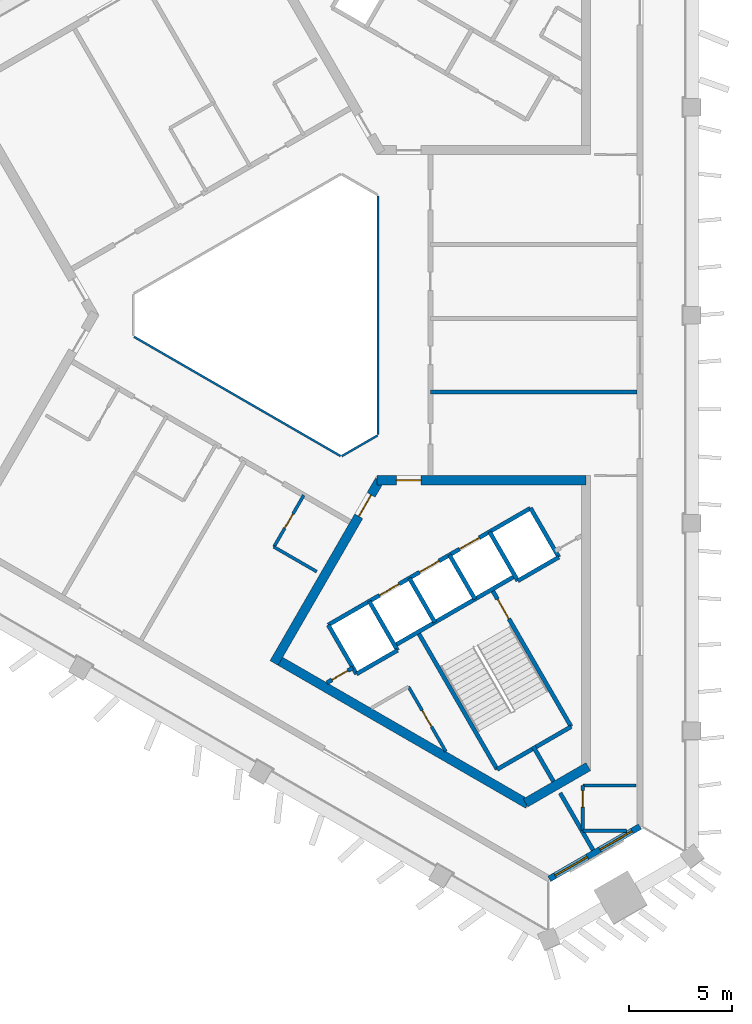
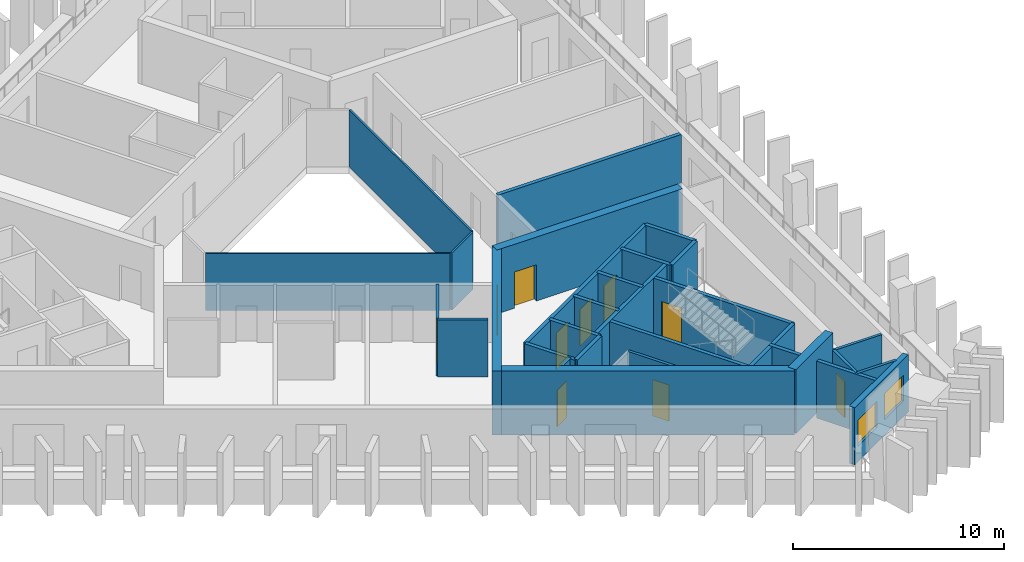
# One storey, part 3 of 9: 31 walls, 10 doors, 2 windows, 12 openings.
"""IFC4 building model written with IfcOpenShell, lengths in metres."""

from ifc_helpers import new_model, si_unit, direction, frame, frame_2d, origin, place, context, subcontext, project, spatial, rectangle, extrude, material, layer, layer_set, type_object, element, fill, save


model = new_model("IFC4")

# Units and contexts
model_context = context("Model", 3, precision=1e-05, world=origin(), true_north=direction((0.0, 1.0)))
body_context = subcontext(model_context, "Body", "Model", "MODEL_VIEW")
ifc_project = project(units=[si_unit("LENGTHUNIT", "METRE"), si_unit("AREAUNIT", "SQUARE_METRE"), si_unit("VOLUMEUNIT", "CUBIC_METRE"), si_unit("PLANEANGLEUNIT", "RADIAN"), si_unit("MASSUNIT", "GRAM", prefix="KILO")], contexts=[model_context])

# Site, building, storey
site_placement = place(None, origin())
site = spatial("IfcSite", under=ifc_project, at=site_placement, CompositionType="ELEMENT")
building_placement = place(site_placement, origin())
building = spatial("IfcBuilding", under=site, at=building_placement, Name="Jabali Bay Hotel Tower and Convention Centre", CompositionType="ELEMENT")
storey_placement = place(building_placement, frame((0.0, 0.0, 239.10009765625)))
storey = spatial("IfcBuildingStorey", under=building, at=storey_placement, Name="L59", CompositionType="ELEMENT", Elevation=239.10009765625)

# Walls
ifc_material_1 = material(Name="Fire-resistant glazing", Category="glass")
ifc_layer_1 = layer(ifc_material_1, 0.10009765625)
ifc_layer_set_1 = layer_set([ifc_layer_1], Name="Fire-resistant glazing")
wall_type_1 = type_object("IfcWallType", Name="Atrium glazed screen 100", PredefinedType="PARTITIONING", material=ifc_layer_set_1)
for number, where, z_axis, x_axis, name in (
    (1, (79.56005859375, 74.205810546875, 0.0), (0.0, 0.0, 1.0), (0.0, 1.0, 0.0), "Atrium screen 1 L59"),
    (2, (67.7021484375, 78.947998046875, 0.0), (0.0, 0.0, 1.0), (0.866026658274, -0.499997827154, 0.0), "Atrium screen 5 L59"),
):
    element("IfcWall", number, at=place(storey_placement, frame(where, z_axis=z_axis, x_axis=x_axis)), inside=storey, type_object=wall_type_1, Name=name, PredefinedType="PARTITIONING", context=body_context, shape_type="SweptSolid", body=[
        extrude(rectangle(XDim=11.58837890625, YDim=0.10009765625, at=frame_2d((5.794189453125, 0.0))), origin(), (0.0, 0.0, 1.0), 3.2998046875),
    ])
wall_1_placement = place(storey_placement, frame((77.7978515625, 73.15380859375, 0.0), z_axis=(0.0, 0.0, 1.0), x_axis=(0.866041268327, 0.499972520799, 0.0)))
element("IfcWall", 3, at=wall_1_placement, inside=storey, type_object=wall_type_1, Name="Atrium screen 6 L59", PredefinedType="PARTITIONING", context=body_context, shape_type="SweptSolid", body=[
    extrude(rectangle(XDim=2.0, YDim=0.10009765625, at=frame_2d((1.0, 0.0))), origin(), (0.0, 0.0, 1.0), 3.2998046875),
])
ifc_material_2 = material(Name="Concrete C40", Category="concrete")
ifc_layer_2 = layer(ifc_material_2, 0.199951171875)
ifc_layer_set_2 = layer_set([ifc_layer_2], Name="Concrete C40")
wall_type_2 = type_object("IfcWallType", Name="Core partition wall 200", PredefinedType="PARTITIONING", material=ifc_layer_set_2)
wall_2_placement = place(storey_placement, frame((87.090087890625, 59.0595703125, 0.0), z_axis=(0.0, 0.0, 1.0), x_axis=(0.500011643316, -0.866018681408, 0.0)))
element("IfcWall", 4, at=wall_2_placement, inside=storey, type_object=wall_type_2, Name="Core wall 2.5 L59", PredefinedType="PARTITIONING", context=body_context, shape_type="SweptSolid", body=[
    extrude(rectangle(XDim=1.97314453125, YDim=0.199951171875, at=frame_2d((0.986572265625, 0.0))), origin(), (0.0, 0.0, 1.0), 3.2998046875),
])

# Wall, opening, door
wall_3_placement = place(storey_placement, frame((77.070068359375, 62.142578125, 0.0), z_axis=(0.0, 0.0, 1.0), x_axis=(0.866013036001, 0.500021421018, 0.0)))
wall_3 = element("IfcWall", 5, at=wall_3_placement, inside=storey, type_object=wall_type_2, Name="Core wall 2.11 L59", PredefinedType="PARTITIONING", context=body_context, shape_type="SweptSolid", body=[
    extrude(rectangle(XDim=1.4609375, YDim=0.199951171875, at=frame_2d((0.73046875, 0.0))), origin(), (0.0, 0.0, 1.0), 3.2998046875),
])
opening_1_placement = place(wall_3_placement, frame((0.280517578125, 0.0, 0.0)))
opening_1 = element("IfcOpeningElement", 6, at=opening_1_placement, cuts=wall_3, Name="Opening D1302", PredefinedType="OPENING", context=body_context, shape_type="SweptSolid", body=[
    extrude(rectangle(XDim=0.89990234375, YDim=2.10009765625, at=frame_2d((0.449951171875, 1.050048828125))), frame((0.0, 0.1103515625, 0.0), z_axis=(0.0, -1.0, 0.0), x_axis=(1.0, 0.0, 0.0)), (0.0, 0.0, 1.0), 0.220947265625),
])
ifc_material_3 = material(Name="Fire-rated steel door", Category="steel")
door_type_1 = type_object("IfcDoorType", Name="Vestibule fire door 900 x 2100", OperationType="NOTDEFINED", PredefinedType="NOTDEFINED", material=ifc_material_3)
door_1_placement = place(opening_1_placement, origin())
door_1 = element("IfcDoor", 7, at=door_1_placement, inside=storey, type_object=door_type_1, Name="Vestibule fire door D1302", OperationType="SINGLE_SWING_LEFT", OverallHeight=2.10009765625, OverallWidth=0.89990234375, PredefinedType="NOTDEFINED", context=body_context, shape_type="SweptSolid", body=[
    extrude(rectangle(XDim=0.89990234375, YDim=2.10009765625, at=frame_2d((0.449951171875, 1.050048828125))), frame((0.0, 0.02490234375, 0.0), z_axis=(0.0, -1.0, 0.0), x_axis=(1.0, 0.0, 0.0)), (0.0, 0.0, 1.0), 0.050048828125),
])
fill(opening_1, door_1)

ifc_material_4 = material(Name="Fire-rated board partition")
ifc_layer_3 = layer(ifc_material_4, 0.14990234375)
ifc_layer_set_3 = layer_set([ifc_layer_3], Name="Fire-rated board partition")
wall_type_3 = type_object("IfcWallType", Name="Core room partition 150", PredefinedType="PARTITIONING", material=ifc_layer_set_3)
wall_4_placement = place(storey_placement, frame((81.0341796875, 61.94873046875, 0.0), z_axis=(0.0, 0.0, 1.0), x_axis=(0.499945732631, -0.866056732798, 0.0)))
wall_4 = element("IfcWall", 8, at=wall_4_placement, inside=storey, type_object=wall_type_3, Name="Core wall 2.1 L59", PredefinedType="PARTITIONING", context=body_context, shape_type="SweptSolid", body=[
    extrude(rectangle(XDim=3.62841796875, YDim=0.14990234375, at=frame_2d((1.814208984375, 0.0))), origin(), (0.0, 0.0, 1.0), 3.2998046875),
])
opening_2_placement = place(wall_4_placement, frame((1.336669921875, 0.0, 0.0)))
opening_2 = element("IfcOpeningElement", 9, at=opening_2_placement, cuts=wall_4, Name="Opening D1304", PredefinedType="OPENING", context=body_context, shape_type="SweptSolid", body=[
    extrude(rectangle(XDim=0.89990234375, YDim=2.10009765625, at=frame_2d((0.449951171875, 1.050048828125))), frame((0.0, 0.08544921875, 0.0), z_axis=(0.0, -1.0, 0.0), x_axis=(1.0, 0.0, 0.0)), (0.0, 0.0, 1.0), 0.1708984375),
])
door_type_2 = type_object("IfcDoorType", Name="Core room door 900 x 2100", OperationType="NOTDEFINED", PredefinedType="NOTDEFINED", material=ifc_material_3)
door_2_placement = place(opening_2_placement, origin())
door_2 = element("IfcDoor", 10, at=door_2_placement, inside=storey, type_object=door_type_2, Name="Core room door D1304", OperationType="SINGLE_SWING_LEFT", OverallHeight=2.10009765625, OverallWidth=0.89990234375, PredefinedType="NOTDEFINED", context=body_context, shape_type="SweptSolid", body=[
    extrude(rectangle(XDim=0.89990234375, YDim=2.10009765625, at=frame_2d((0.449951171875, 1.050048828125))), frame((0.0, 0.02490234375, 0.0), z_axis=(0.0, -1.0, 0.0), x_axis=(1.0, 0.0, 0.0)), (0.0, 0.0, 1.0), 0.050048828125),
])
fill(opening_2, door_2)

# Walls
ifc_layer_4 = layer(ifc_material_2, 0.199951171875)
ifc_layer_set_4 = layer_set([ifc_layer_4], Name="Concrete C40")
wall_type_4 = type_object("IfcWallType", Name="Core stair wall 200", PredefinedType="SOLIDWALL", material=ifc_layer_set_4)
for number, where, z_axis, x_axis, name in (
    (11, (77.13525390625, 64.95166015625, 0.0), (0.0, 0.0, 1.0), (0.499996545922, -0.866027397988, 0.0), "Core wall 2.0 L59"),
    (12, (79.127197265625, 66.1015625, 0.0), (0.0, 0.0, 1.0), (0.499996545922, -0.866027397988, 0.0), "Core wall 2.2 L59"),
):
    element("IfcWall", number, at=place(storey_placement, frame(where, z_axis=z_axis, x_axis=x_axis)), inside=storey, type_object=wall_type_4, Name=name, PredefinedType="SOLIDWALL", context=body_context, shape_type="SweptSolid", body=[
        extrude(rectangle(XDim=2.75, YDim=0.199951171875, at=frame_2d((1.375, 0.0))), origin(), (0.0, 0.0, 1.0), 3.2998046875),
    ])
wall_5_placement = place(storey_placement, frame((81.492919921875, 64.603759765625, 0.0), z_axis=(0.0, 0.0, 1.0), x_axis=(0.500006057782, -0.866021906294, 0.0)))
element("IfcWall", 13, at=wall_5_placement, inside=storey, type_object=wall_type_4, Name="Core wall 2.3 L59", PredefinedType="SOLIDWALL", context=body_context, shape_type="SweptSolid", body=[
    extrude(rectangle(XDim=7.7001953125, YDim=0.199951171875, at=frame_2d((3.85009765625, 0.0))), origin(), (0.0, 0.0, 1.0), 3.2998046875),
])
for number, where, z_axis, x_axis, name in (
    (14, (81.07568359375, 67.2265625, 0.0), (0.0, 0.0, 1.0), (0.50000366821, -0.866023285932, 0.0), "Core wall 2.4 L59"),
    (15, (83.024169921875, 68.3515625, 0.0), (0.0, 0.0, 1.0), (0.50000366821, -0.866023285932, 0.0), "Core wall 2.6 L59"),
):
    element("IfcWall", number, at=place(storey_placement, frame(where, z_axis=z_axis, x_axis=x_axis)), inside=storey, type_object=wall_type_4, Name=name, PredefinedType="SOLIDWALL", context=body_context, shape_type="SweptSolid", body=[
        extrude(rectangle(XDim=2.47998046875, YDim=0.199951171875, at=frame_2d((1.239990234375, 0.0))), origin(), (0.0, 0.0, 1.0), 3.2998046875),
    ])

# Wall, opening, door
wall_6_placement = place(storey_placement, frame((85.0869140625, 66.6787109375, 0.0), z_axis=(0.0, 0.0, 1.0), x_axis=(0.500019787375, -0.866013979237, 0.0)))
wall_6 = element("IfcWall", 16, at=wall_6_placement, inside=storey, type_object=wall_type_4, Name="Core wall 2.7 L59", PredefinedType="SOLIDWALL", context=body_context, shape_type="SweptSolid", body=[
    extrude(rectangle(XDim=7.699951171875, YDim=0.199951171875, at=frame_2d((3.85009765625, 0.0))), origin(), (0.0, 0.0, 1.0), 3.2998046875),
])
opening_3_placement = place(wall_6_placement, frame((0.550048828125, 0.0, 0.0)))
opening_3 = element("IfcOpeningElement", 17, at=opening_3_placement, cuts=wall_6, Name="Opening D1303", PredefinedType="OPENING", context=body_context, shape_type="SweptSolid", body=[
    extrude(rectangle(XDim=1.10009765625, YDim=2.10009765625, at=frame_2d((0.550048828125, 1.050048828125))), frame((0.0, 0.1103515625, 0.0), z_axis=(0.0, -1.0, 0.0), x_axis=(1.0, 0.0, 0.0)), (0.0, 0.0, 1.0), 0.220947265625),
])
door_type_3 = type_object("IfcDoorType", Name="Stair fire door 1100 x 2100", OperationType="NOTDEFINED", PredefinedType="NOTDEFINED", material=ifc_material_3)
door_3_placement = place(opening_3_placement, origin())
door_3 = element("IfcDoor", 18, at=door_3_placement, inside=storey, type_object=door_type_3, Name="Stair fire door D1303", OperationType="SINGLE_SWING_RIGHT", OverallHeight=2.10009765625, OverallWidth=1.10009765625, PredefinedType="NOTDEFINED", context=body_context, shape_type="SweptSolid", body=[
    extrude(rectangle(XDim=1.10009765625, YDim=2.10009765625, at=frame_2d((0.550048828125, 1.050048828125))), frame((0.0, 0.02490234375, 0.0), z_axis=(0.0, -1.0, 0.0), x_axis=(1.0, 0.0, 0.0)), (0.0, 0.0, 1.0), 0.050048828125),
])
fill(opening_3, door_3)

# Walls
for number, where, z_axis, x_axis, name in (
    (19, (84.972900390625, 69.4765625, 0.0), (0.0, 0.0, 1.0), (0.499996545922, -0.866027397988, 0.0), "Core wall 2.8 L59"),
    (20, (86.964599609375, 70.62646484375, 0.0), (0.0, 0.0, 1.0), (0.499996545922, -0.866027397988, 0.0), "Core wall 2.9 L59"),
):
    element("IfcWall", number, at=place(storey_placement, frame(where, z_axis=z_axis, x_axis=x_axis)), inside=storey, type_object=wall_type_4, Name=name, PredefinedType="SOLIDWALL", context=body_context, shape_type="SweptSolid", body=[
        extrude(rectangle(XDim=2.75, YDim=0.199951171875, at=frame_2d((1.375, 0.0))), origin(), (0.0, 0.0, 1.0), 3.2998046875),
    ])

# Wall, openings, doors
wall_7_placement = place(storey_placement, frame((77.13525390625, 64.95166015625, 0.0), z_axis=(0.0, 0.0, 1.0), x_axis=(0.866031916153, 0.499988720078, 0.0)))
wall_7 = element("IfcWall", 21, at=wall_7_placement, inside=storey, type_object=wall_type_4, Name="Core wall 2.10 L59", PredefinedType="SOLIDWALL", context=body_context, shape_type="SweptSolid", body=[
    extrude(rectangle(XDim=11.349853515625, YDim=0.199951171875, at=frame_2d((5.6748046875, 0.0))), origin(), (0.0, 0.0, 1.0), 3.2998046875),
])
opening_4_placement = place(wall_7_placement, frame((2.875, 0.0, 0.0)))
opening_4 = element("IfcOpeningElement", 22, at=opening_4_placement, cuts=wall_7, Name="Opening LD12-L59", PredefinedType="OPENING", context=body_context, shape_type="SweptSolid", body=[
    extrude(rectangle(XDim=1.10009765625, YDim=2.10009765625, at=frame_2d((0.550048828125, 1.050048828125))), frame((0.0, 0.1103515625, 0.0), z_axis=(0.0, -1.0, 0.0), x_axis=(1.0, 0.0, 0.0)), (0.0, 0.0, 1.0), 0.220947265625),
])
opening_5_placement = place(wall_7_placement, frame((5.125, 0.0, 0.0)))
opening_5 = element("IfcOpeningElement", 23, at=opening_5_placement, cuts=wall_7, Name="Opening LD13-L59", PredefinedType="OPENING", context=body_context, shape_type="SweptSolid", body=[
    extrude(rectangle(XDim=1.10009765625, YDim=2.10009765625, at=frame_2d((0.550048828125, 1.050048828125))), frame((0.0, 0.1103515625, 0.0), z_axis=(0.0, -1.0, 0.0), x_axis=(1.0, 0.0, 0.0)), (0.0, 0.0, 1.0), 0.220947265625),
])
opening_6_placement = place(wall_7_placement, frame((7.375, 0.0, 0.0)))
opening_6 = element("IfcOpeningElement", 24, at=opening_6_placement, cuts=wall_7, Name="Opening LD14-L59", PredefinedType="OPENING", context=body_context, shape_type="SweptSolid", body=[
    extrude(rectangle(XDim=1.10009765625, YDim=2.10009765625, at=frame_2d((0.550048828125, 1.050048828125))), frame((0.0, 0.1103515625, 0.0), z_axis=(0.0, -1.0, 0.0), x_axis=(1.0, 0.0, 0.0)), (0.0, 0.0, 1.0), 0.220947265625),
])
ifc_material_5 = material(Name="Stainless steel landing door", Category="steel")
door_type_4 = type_object("IfcDoorType", Name="Landing door 1100 x 2100", OperationType="NOTDEFINED", PredefinedType="NOTDEFINED", material=ifc_material_5)
door_4_placement = place(opening_4_placement, origin())
door_4 = element("IfcDoor", 25, at=door_4_placement, inside=storey, type_object=door_type_4, Name="Landing doors LD12-L59", OperationType="SLIDING_TO_LEFT", OverallHeight=2.10009765625, OverallWidth=1.10009765625, PredefinedType="NOTDEFINED", context=body_context, shape_type="SweptSolid", body=[
    extrude(rectangle(XDim=1.10009765625, YDim=2.10009765625, at=frame_2d((0.550048828125, 1.050048828125))), frame((0.0, 0.02490234375, 0.0), z_axis=(0.0, -1.0, 0.0), x_axis=(1.0, 0.0, 0.0)), (0.0, 0.0, 1.0), 0.050048828125),
])
fill(opening_4, door_4)
door_5_placement = place(opening_5_placement, origin())
door_5 = element("IfcDoor", 26, at=door_5_placement, inside=storey, type_object=door_type_4, Name="Landing doors LD13-L59", OperationType="SLIDING_TO_RIGHT", OverallHeight=2.10009765625, OverallWidth=1.10009765625, PredefinedType="NOTDEFINED", context=body_context, shape_type="SweptSolid", body=[
    extrude(rectangle(XDim=1.10009765625, YDim=2.10009765625, at=frame_2d((0.550048828125, 1.050048828125))), frame((0.0, 0.02490234375, 0.0), z_axis=(0.0, -1.0, 0.0), x_axis=(1.0, 0.0, 0.0)), (0.0, 0.0, 1.0), 0.050048828125),
])
fill(opening_5, door_5)
door_6_placement = place(opening_6_placement, origin())
door_6 = element("IfcDoor", 27, at=door_6_placement, inside=storey, type_object=door_type_4, Name="Landing doors LD14-L59", OperationType="SLIDING_TO_LEFT", OverallHeight=2.10009765625, OverallWidth=1.10009765625, PredefinedType="NOTDEFINED", context=body_context, shape_type="SweptSolid", body=[
    extrude(rectangle(XDim=1.10009765625, YDim=2.10009765625, at=frame_2d((0.550048828125, 1.050048828125))), frame((0.0, 0.02490234375, 0.0), z_axis=(0.0, -1.0, 0.0), x_axis=(1.0, 0.0, 0.0)), (0.0, 0.0, 1.0), 0.050048828125),
])
fill(opening_6, door_6)

# Walls
wall_8_placement = place(storey_placement, frame((80.3671875, 63.953857421875, 0.0), z_axis=(0.0, 0.0, 1.0), x_axis=(0.866026575979, 0.499997969693, 0.0)))
element("IfcWall", 28, at=wall_8_placement, inside=storey, type_object=wall_type_4, Name="Core wall 2.13 L59", PredefinedType="SOLIDWALL", context=body_context, shape_type="SweptSolid", body=[
    extrude(rectangle(XDim=6.75, YDim=0.199951171875, at=frame_2d((3.375, 0.0))), origin(), (0.0, 0.0, 1.0), 3.2998046875),
])
wall_9_placement = place(storey_placement, frame((78.51025390625, 62.570068359375, 0.0), z_axis=(0.0, 0.0, 1.0), x_axis=(0.866053019151, 0.499952165731, 0.0)))
element("IfcWall", 29, at=wall_9_placement, inside=storey, type_object=wall_type_4, Name="Core wall 2.14 L59", PredefinedType="SOLIDWALL", context=body_context, shape_type="SweptSolid", body=[
    extrude(rectangle(XDim=2.300048828125, YDim=0.199951171875, at=frame_2d((1.14990234375, 0.0))), origin(), (0.0, 0.0, 1.0), 3.2998046875),
])
wall_10_placement = place(storey_placement, frame((86.347900390625, 67.094970703125, 0.0), z_axis=(0.0, 0.0, 1.0), x_axis=(0.86602648383, 0.499998129301, 0.0)))
element("IfcWall", 30, at=wall_10_placement, inside=storey, type_object=wall_type_4, Name="Core wall 2.15 L59", PredefinedType="SOLIDWALL", context=body_context, shape_type="SweptSolid", body=[
    extrude(rectangle(XDim=2.2998046875, YDim=0.199951171875, at=frame_2d((1.14990234375, 0.0))), origin(), (0.0, 0.0, 1.0), 3.2998046875),
])
wall_11_placement = place(storey_placement, frame((85.343017578125, 57.935302734375, 0.0), z_axis=(0.0, 0.0, 1.0), x_axis=(0.866004344652, 0.500036473714, 0.0)))
element("IfcWall", 31, at=wall_11_placement, inside=storey, type_object=wall_type_4, Name="Core wall 2.17 L59", PredefinedType="SOLIDWALL", context=body_context, shape_type="SweptSolid", body=[
    extrude(rectangle(XDim=4.150146484375, YDim=0.199951171875, at=frame_2d((2.0751953125, 0.0))), origin(), (0.0, 0.0, 1.0), 3.2998046875),
])

# Wall, opening, door
ifc_material_6 = material(Name="Concrete C60", Category="concrete")
ifc_layer_5 = layer(ifc_material_6, 0.449951171875)
ifc_layer_set_5 = layer_set([ifc_layer_5], Name="Concrete C60")
wall_type_5 = type_object("IfcWallType", Name="Core wall 450", PredefinedType="SHEAR", material=ifc_layer_set_5)
wall_12_placement = place(storey_placement, frame((79.6298828125, 71.980712890625, 0.0), z_axis=(0.0, 0.0, 1.0), x_axis=(-0.500002171595, -0.86602415001, 0.0)))
wall_12 = element("IfcWall", 32, at=wall_12_placement, inside=storey, type_object=wall_type_5, Name="Core wall 3.1 L59", PredefinedType="SHEAR", context=body_context, shape_type="SweptSolid", body=[
    extrude(rectangle(XDim=10.25, YDim=0.449951171875, at=frame_2d((5.125, 0.0))), origin(), (0.0, 0.0, 1.0), 3.699951171875),
])
opening_7_placement = place(wall_12_placement, frame((0.820068359375, 0.0, 0.0)))
opening_7 = element("IfcOpeningElement", 33, at=opening_7_placement, cuts=wall_12, Name="Opening D1299", PredefinedType="OPENING", context=body_context, shape_type="SweptSolid", body=[
    extrude(rectangle(XDim=1.199951171875, YDim=2.10009765625, at=frame_2d((0.60009765625, 1.050048828125))), frame((0.0, 0.2353515625, 0.0), z_axis=(0.0, -1.0, 0.0), x_axis=(1.0, 0.0, 0.0)), (0.0, 0.0, 1.0), 0.470947265625),
])
door_type_5 = type_object("IfcDoorType", Name="Corridor end fire door 1200 x 2100", OperationType="NOTDEFINED", PredefinedType="NOTDEFINED", material=ifc_material_3)
door_7_placement = place(opening_7_placement, origin())
door_7 = element("IfcDoor", 34, at=door_7_placement, inside=storey, type_object=door_type_5, Name="Corridor end fire door D1299", OperationType="SINGLE_SWING_RIGHT", OverallHeight=2.10009765625, OverallWidth=1.199951171875, PredefinedType="NOTDEFINED", context=body_context, shape_type="SweptSolid", body=[
    extrude(rectangle(XDim=1.199951171875, YDim=2.10009765625, at=frame_2d((0.60009765625, 1.050048828125))), frame((0.0, 0.02490234375, 0.0), z_axis=(0.0, -1.0, 0.0), x_axis=(1.0, 0.0, 0.0)), (0.0, 0.0, 1.0), 0.050048828125),
])
fill(opening_7, door_7)

# Walls
wall_13_placement = place(storey_placement, frame((74.617431640625, 63.298828125, 0.0), z_axis=(0.0, 0.0, 1.0), x_axis=(0.86602594008, -0.499999071108, 0.0)))
element("IfcWall", 35, at=wall_13_placement, inside=storey, type_object=wall_type_5, Name="Core wall 3.2 L59", PredefinedType="SHEAR", context=body_context, shape_type="SweptSolid", body=[
    extrude(rectangle(XDim=14.1083984375, YDim=0.449951171875, at=frame_2d((7.05419921875, 0.0))), origin(), (0.0, 0.0, 1.0), 3.699951171875),
])
wall_14_placement = place(storey_placement, frame((86.72314453125, 56.3095703125, 0.0), z_axis=(0.0, 0.0, 1.0), x_axis=(0.866042179588, 0.49997094233, 0.0)))
element("IfcWall", 36, at=wall_14_placement, inside=storey, type_object=wall_type_5, Name="Core wall 3.3 L59", PredefinedType="SHEAR", context=body_context, shape_type="SweptSolid", body=[
    extrude(rectangle(XDim=3.515380859375, YDim=0.449951171875, at=frame_2d((1.7578125, 0.0))), origin(), (0.0, 0.0, 1.0), 3.699951171875),
])

# Wall, opening, door
wall_15_placement = place(storey_placement, frame((89.655029296875, 71.980712890625, 0.0), z_axis=(0.0, 0.0, 1.0), x_axis=(-1.0, 0.0, 0.0)))
wall_15 = element("IfcWall", 37, at=wall_15_placement, inside=storey, type_object=wall_type_5, Name="Core wall 3.5 L59", PredefinedType="SHEAR", context=body_context, shape_type="SweptSolid", body=[
    extrude(rectangle(XDim=10.155029296875, YDim=0.449951171875, at=frame_2d((5.07763671875, 0.0))), origin(), (0.0, 0.0, 1.0), 3.699951171875),
])
opening_8_placement = place(wall_15_placement, frame((8.0048828125, 0.0, 0.0)))
opening_8 = element("IfcOpeningElement", 38, at=opening_8_placement, cuts=wall_15, Name="Opening D1300", PredefinedType="OPENING", context=body_context, shape_type="SweptSolid", body=[
    extrude(rectangle(XDim=1.199951171875, YDim=2.10009765625, at=frame_2d((0.60009765625, 1.050048828125))), frame((0.0, 0.2353515625, 0.0), z_axis=(0.0, -1.0, 0.0), x_axis=(1.0, 0.0, 0.0)), (0.0, 0.0, 1.0), 0.470947265625),
])
door_8_placement = place(opening_8_placement, origin())
door_8 = element("IfcDoor", 39, at=door_8_placement, inside=storey, type_object=door_type_5, Name="Corridor end fire door D1300", OperationType="SINGLE_SWING_LEFT", OverallHeight=2.10009765625, OverallWidth=1.199951171875, PredefinedType="NOTDEFINED", context=body_context, shape_type="SweptSolid", body=[
    extrude(rectangle(XDim=1.199951171875, YDim=2.10009765625, at=frame_2d((0.60009765625, 1.050048828125))), frame((0.0, 0.02490234375, 0.0), z_axis=(0.0, -1.0, 0.0), x_axis=(1.0, 0.0, 0.0)), (0.0, 0.0, 1.0), 0.050048828125),
])
fill(opening_8, door_8)

# Wall, openings, windows
ifc_layer_6 = layer(ifc_material_2, 0.300048828125)
ifc_layer_set_6 = layer_set([ifc_layer_6], Name="Concrete C40")
wall_type_6 = type_object("IfcWallType", Name="External wall 300", PredefinedType="SOLIDWALL", material=ifc_layer_set_6)
wall_16_placement = place(storey_placement, frame((92.278564453125, 55.15576171875, 0.0), z_axis=(0.0, 0.0, 1.0), x_axis=(-0.866029619509, -0.49999269808, 0.0)))
wall_16 = element("IfcWall", 40, at=wall_16_placement, inside=storey, type_object=wall_type_6, Name="External wall south-east chamfer L59", PredefinedType="SOLIDWALL", context=body_context, shape_type="SweptSolid", body=[
    extrude(rectangle(XDim=5.0830078125, YDim=0.300048828125, at=frame_2d((2.54150390625, 0.0))), origin(), (0.0, 0.0, 1.0), 3.2998046875),
])
opening_9_placement = place(wall_16_placement, frame((0.44091796875, 0.0, 0.89990234375)))
opening_9 = element("IfcOpeningElement", 41, at=opening_9_placement, cuts=wall_16, Name="Opening W1", PredefinedType="OPENING", context=body_context, shape_type="SweptSolid", body=[
    extrude(rectangle(XDim=1.800048828125, YDim=1.5, at=frame_2d((0.89990234375, 0.75))), frame((0.0, 0.16064453125, 0.0), z_axis=(0.0, -1.0, 0.0), x_axis=(1.0, 0.0, 0.0)), (0.0, 0.0, 1.0), 0.321044921875),
])
opening_10_placement = place(wall_16_placement, frame((2.955078125, 0.0, 0.89990234375)))
opening_10 = element("IfcOpeningElement", 42, at=opening_10_placement, cuts=wall_16, Name="Opening W1", PredefinedType="OPENING", context=body_context, shape_type="SweptSolid", body=[
    extrude(rectangle(XDim=1.800048828125, YDim=1.5, at=frame_2d((0.89990234375, 0.75))), frame((0.0, 0.16064453125, 0.0), z_axis=(0.0, -1.0, 0.0), x_axis=(1.0, 0.0, 0.0)), (0.0, 0.0, 1.0), 0.321044921875),
])
ifc_material_7 = material(Name="Glass", Category="glass")
window_type = type_object("IfcWindowType", Name="Window 1800 x 1500", PartitioningType="SINGLE_PANEL", PredefinedType="WINDOW", material=ifc_material_7)
window_1_placement = place(opening_9_placement, origin())
window_1 = element("IfcWindow", 43, at=window_1_placement, inside=storey, type_object=window_type, Name="Window 5901", OverallHeight=1.5, OverallWidth=1.800048828125, PartitioningType="SINGLE_PANEL", PredefinedType="WINDOW", context=body_context, shape_type="SweptSolid", body=[
    extrude(rectangle(XDim=1.800048828125, YDim=1.5, at=frame_2d((0.89990234375, 0.75))), frame((0.0, 0.030029296875, 0.0), z_axis=(0.0, -1.0, 0.0), x_axis=(1.0, 0.0, 0.0)), (0.0, 0.0, 1.0), 0.06005859375),
])
fill(opening_9, window_1)
window_2_placement = place(opening_10_placement, origin())
window_2 = element("IfcWindow", 44, at=window_2_placement, inside=storey, type_object=window_type, Name="Window 5910", OverallHeight=1.5, OverallWidth=1.800048828125, PartitioningType="SINGLE_PANEL", PredefinedType="WINDOW", context=body_context, shape_type="SweptSolid", body=[
    extrude(rectangle(XDim=1.800048828125, YDim=1.5, at=frame_2d((0.89990234375, 0.75))), frame((0.0, 0.030029296875, 0.0), z_axis=(0.0, -1.0, 0.0), x_axis=(1.0, 0.0, 0.0)), (0.0, 0.0, 1.0), 0.06005859375),
])
fill(opening_10, window_2)

# Wall
ifc_material_8 = material(Name="Plasterboard on steel stud", Category="steel")
ifc_layer_7 = layer(ifc_material_8, 0.14990234375)
ifc_layer_set_7 = layer_set([ifc_layer_7], Name="Plasterboard on steel stud")
wall_type_7 = type_object("IfcWallType", Name="Partition 150 wet", PredefinedType="PARTITIONING", material=ifc_layer_set_7)
wall_17_placement = place(storey_placement, frame((91.633056640625, 54.955078125, 0.0), z_axis=(0.0, 0.0, 1.0), x_axis=(-1.0, 0.0, 0.0)))
element("IfcWall", 45, at=wall_17_placement, inside=storey, type_object=wall_type_7, Name="Partition P03 L59 003", PredefinedType="PARTITIONING", context=body_context, shape_type="SweptSolid", body=[
    extrude(rectangle(XDim=2.131591796875, YDim=0.14990234375, at=frame_2d((1.06591796875, 0.0))), origin(), (0.0, 0.0, 1.0), 3.2998046875),
])

# Wall, opening, door
wall_18_placement = place(storey_placement, frame((89.50146484375, 54.955078125, 0.0), z_axis=(0.0, 0.0, 1.0), x_axis=(0.0, 1.0, 0.0)))
wall_18 = element("IfcWall", 46, at=wall_18_placement, inside=storey, type_object=wall_type_7, Name="Partition P03 L59 004", PredefinedType="PARTITIONING", context=body_context, shape_type="SweptSolid", body=[
    extrude(rectangle(XDim=2.199951171875, YDim=0.14990234375, at=frame_2d((1.10009765625, 0.0))), origin(), (0.0, 0.0, 1.0), 3.2998046875),
])
opening_11_placement = place(wall_18_placement, frame((1.14990234375, 0.0, 0.0)))
opening_11 = element("IfcOpeningElement", 47, at=opening_11_placement, cuts=wall_18, Name="Opening 5903", PredefinedType="OPENING", context=body_context, shape_type="SweptSolid", body=[
    extrude(rectangle(XDim=0.800048828125, YDim=2.10009765625, at=frame_2d((0.39990234375, 1.050048828125))), frame((0.0, 0.08544921875, 0.0), z_axis=(0.0, -1.0, 0.0), x_axis=(1.0, 0.0, 0.0)), (0.0, 0.0, 1.0), 0.1708984375),
])
ifc_material_9 = material(Name="Timber", Category="wood")
door_type_6 = type_object("IfcDoorType", Name="En-suite door 800 x 2100", OperationType="NOTDEFINED", PredefinedType="NOTDEFINED", material=ifc_material_9)
door_9_placement = place(opening_11_placement, origin())
door_9 = element("IfcDoor", 48, at=door_9_placement, inside=storey, type_object=door_type_6, Name="Door 5903", OperationType="SINGLE_SWING_RIGHT", OverallHeight=2.10009765625, OverallWidth=0.800048828125, PredefinedType="NOTDEFINED", context=body_context, shape_type="SweptSolid", body=[
    extrude(rectangle(XDim=0.800048828125, YDim=2.10009765625, at=frame_2d((0.39990234375, 1.050048828125))), frame((0.0, 0.02490234375, 0.0), z_axis=(0.0, -1.0, 0.0), x_axis=(1.0, 0.0, 0.0)), (0.0, 0.0, 1.0), 0.050048828125),
])
fill(opening_11, door_9)

# Walls
wall_19_placement = place(storey_placement, frame((89.50146484375, 57.155029296875, 0.0), z_axis=(0.0, 0.0, 1.0), x_axis=(1.0, 0.0, 0.0)))
element("IfcWall", 49, at=wall_19_placement, inside=storey, type_object=wall_type_7, Name="Partition P03 L59 005", PredefinedType="PARTITIONING", context=body_context, shape_type="SweptSolid", body=[
    extrude(rectangle(XDim=2.5869140625, YDim=0.14990234375, at=frame_2d((1.29345703125, 0.0))), origin(), (0.0, 0.0, 1.0), 3.2998046875),
])
wall_20_placement = place(storey_placement, frame((76.57763671875, 67.542236328125, 0.0), z_axis=(0.0, 0.0, 1.0), x_axis=(-0.866038271014, 0.499977712642, 0.0)))
element("IfcWall", 50, at=wall_20_placement, inside=storey, type_object=wall_type_7, Name="Partition P03 L59 028", PredefinedType="PARTITIONING", context=body_context, shape_type="SweptSolid", body=[
    extrude(rectangle(XDim=2.40087890625, YDim=0.14990234375, at=frame_2d((1.200439453125, 0.0))), origin(), (0.0, 0.0, 1.0), 3.2998046875),
])

# Wall, opening, door
wall_21_placement = place(storey_placement, frame((74.498291015625, 68.74267578125, 0.0), z_axis=(0.0, 0.0, 1.0), x_axis=(0.499987231761, 0.866032775405, 0.0)))
wall_21 = element("IfcWall", 51, at=wall_21_placement, inside=storey, type_object=wall_type_7, Name="Partition P03 L59 029", PredefinedType="PARTITIONING", context=body_context, shape_type="SweptSolid", body=[
    extrude(rectangle(XDim=2.89990234375, YDim=0.14990234375, at=frame_2d((1.449951171875, 0.0))), origin(), (0.0, 0.0, 1.0), 3.2998046875),
])
opening_12_placement = place(wall_21_placement, frame((1.050048828125, 0.0, 0.0)))
opening_12 = element("IfcOpeningElement", 52, at=opening_12_placement, cuts=wall_21, Name="Opening 5918", PredefinedType="OPENING", context=body_context, shape_type="SweptSolid", body=[
    extrude(rectangle(XDim=0.800048828125, YDim=2.10009765625, at=frame_2d((0.39990234375, 1.050048828125))), frame((0.0, 0.08544921875, 0.0), z_axis=(0.0, -1.0, 0.0), x_axis=(1.0, 0.0, 0.0)), (0.0, 0.0, 1.0), 0.1708984375),
])
door_10_placement = place(opening_12_placement, origin())
door_10 = element("IfcDoor", 53, at=door_10_placement, inside=storey, type_object=door_type_6, Name="Door 5918", OperationType="SINGLE_SWING_RIGHT", OverallHeight=2.10009765625, OverallWidth=0.800048828125, PredefinedType="NOTDEFINED", context=body_context, shape_type="SweptSolid", body=[
    extrude(rectangle(XDim=0.800048828125, YDim=2.10009765625, at=frame_2d((0.39990234375, 1.050048828125))), frame((0.0, 0.02490234375, 0.0), z_axis=(0.0, -1.0, 0.0), x_axis=(1.0, 0.0, 0.0)), (0.0, 0.0, 1.0), 0.050048828125),
])
fill(opening_12, door_10)

# Walls
ifc_layer_8 = layer(ifc_material_8, 0.199951171875)
ifc_layer_set_8 = layer_set([ifc_layer_8], Name="Plasterboard on steel stud")
wall_type_8 = type_object("IfcWallType", Name="Partition 200 party", PredefinedType="PARTITIONING", material=ifc_layer_set_8)
wall_22_placement = place(storey_placement, frame((92.12939453125, 76.2587890625, 0.0), z_axis=(0.0, 0.0, 1.0), x_axis=(-1.0, 0.0, 0.0)))
element("IfcWall", 54, at=wall_22_placement, inside=storey, type_object=wall_type_8, Name="Partition P01 L59 002", PredefinedType="PARTITIONING", context=body_context, shape_type="SweptSolid", body=[
    extrude(rectangle(XDim=10.029296875, YDim=0.199951171875, at=frame_2d((5.0146484375, 0.0))), origin(), (0.0, 0.0, 1.0), 3.2998046875),
])
wall_23_placement = place(storey_placement, frame((88.40185546875, 56.789306640625, 0.0), z_axis=(0.0, 0.0, 1.0), x_axis=(0.500023670775, -0.866011737025, 0.0)))
element("IfcWall", 55, at=wall_23_placement, inside=storey, type_object=wall_type_8, Name="Partition P01 L59 006", PredefinedType="PARTITIONING", context=body_context, shape_type="SweptSolid", body=[
    extrude(rectangle(XDim=3.203857421875, YDim=0.199951171875, at=frame_2d((1.60205078125, 0.0))), origin(), (0.0, 0.0, 1.0), 3.2998046875),
])

save(model, "model.ifc")
